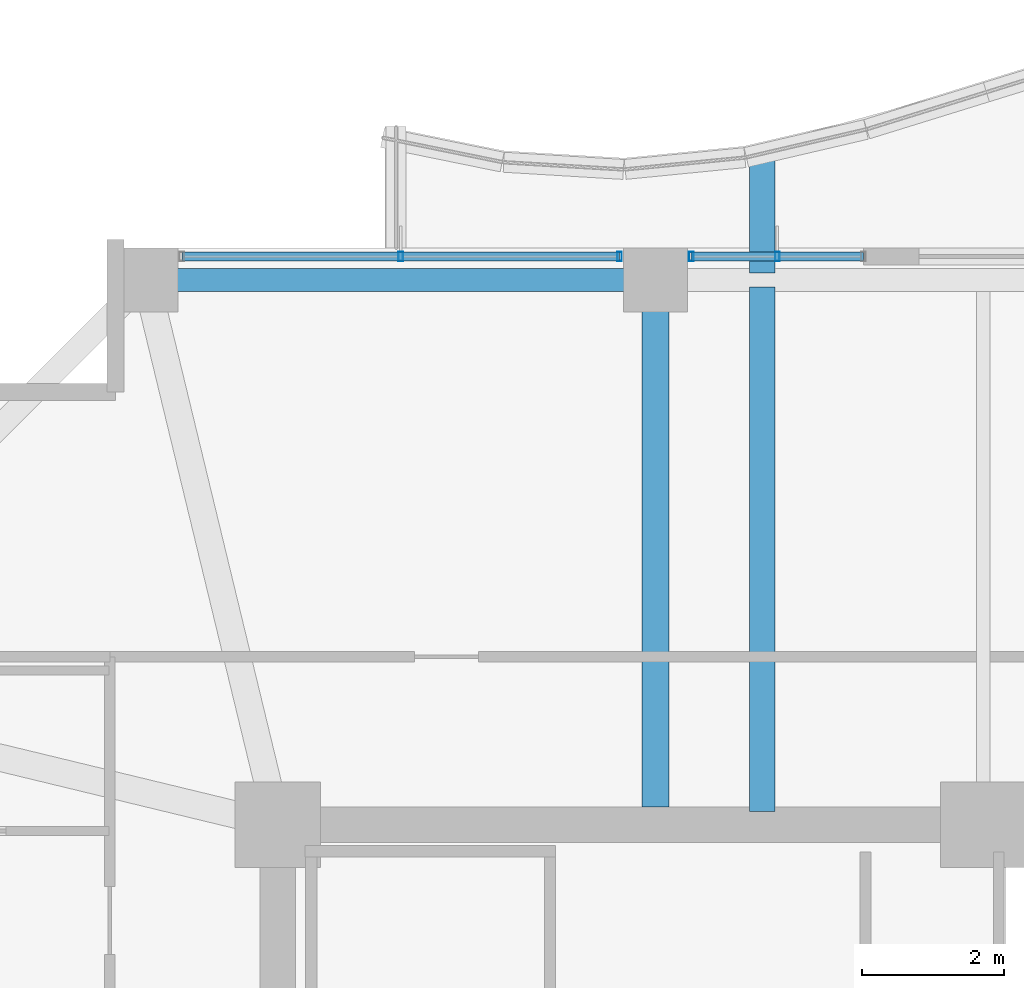
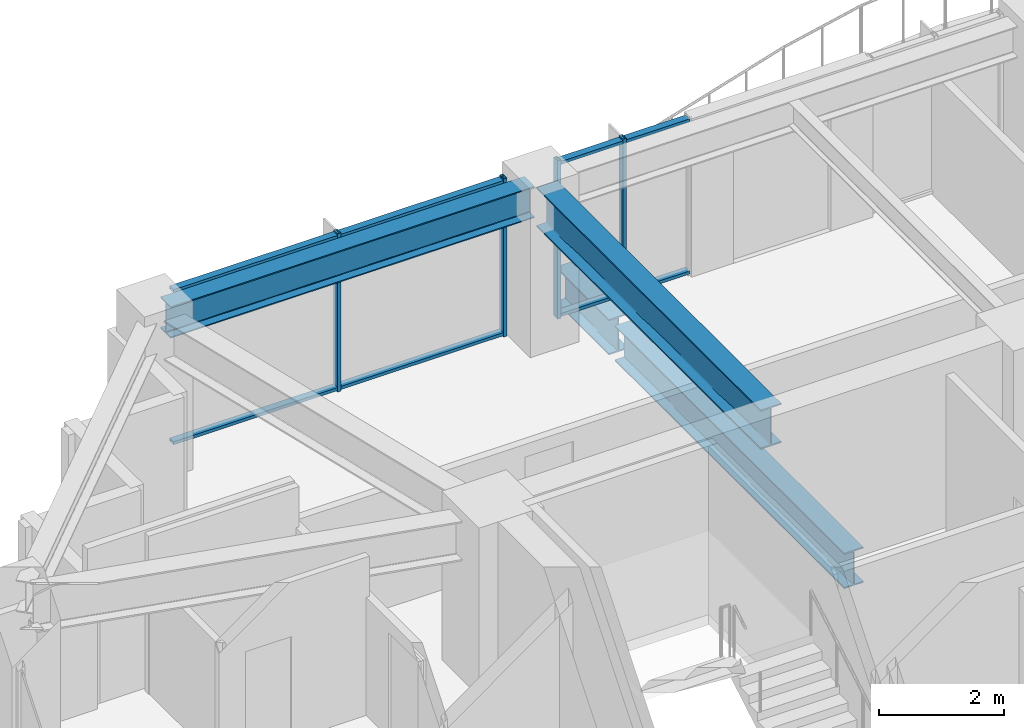
# One storey, part 17 of 31: 8 members, 4 beams, 2 elements without a shape of their own.
"""IFC4 building model written with IfcOpenShell, lengths in metres."""

from ifc_helpers import new_model, si_unit, direction, frame, origin, origin_2d, place, context, subcontext, project, spatial, hollow_rectangle, i_section, extrude, material, material_profile, profile_set, type_object, element, aggregate, save


model = new_model("IFC4")

# Units and contexts
model_context = context("Model", 3, precision=1e-05, world=origin(), true_north=direction((0.0, 1.0)))
body_context = subcontext(model_context, "Body", "Model", "MODEL_VIEW")
ifc_project = project(units=[si_unit("LENGTHUNIT", "METRE"), si_unit("AREAUNIT", "SQUARE_METRE"), si_unit("VOLUMEUNIT", "CUBIC_METRE"), si_unit("PLANEANGLEUNIT", "RADIAN"), si_unit("MASSUNIT", "GRAM", prefix="KILO")], contexts=[model_context])

# Site, building, storey
site_placement = place(None, origin())
site = spatial("IfcSite", under=ifc_project, at=site_placement, CompositionType="ELEMENT")
building_placement = place(site_placement, origin())
building = spatial("IfcBuilding", under=site, at=building_placement, Name="Kolvaren Belvedere", CompositionType="ELEMENT")
storey_placement = place(building_placement, frame((0.0, 0.0, 134.89990234375)))
storey = spatial("IfcBuildingStorey", under=building, at=storey_placement, Name="L39", CompositionType="ELEMENT", Elevation=134.89990234375)

# Beams
ifc_material_1 = material(Name="Structural steel ASTM A992 Grade 50", Category="steel")
ifc_material_profile_1 = material_profile(ifc_material_1, i_section(OverallWidth=0.35498046875, OverallDepth=0.696044921875, WebThickness=0.015380859375, FlangeThickness=0.02490234375, FilletRadius=0.02197265625, at=origin_2d()), Name="W27X146")
ifc_profile_set_1 = profile_set([ifc_material_profile_1], Name="Structural steel ASTM A992 Grade 50")
beam_type_1 = type_object("IfcBeamType", Name="BM-CANT-BAL", PredefinedType="BEAM", material=ifc_profile_set_1)
beam_1_placement = place(storey_placement, frame((-3.10009765625, 17.64501953125, -0.5478515625), z_axis=(0.0, 1.0, 0.0), x_axis=(-1.0, 0.0, 0.0)))
element("IfcBeam", 1, at=beam_1_placement, inside=storey, type_object=beam_type_1, Name="L39 Planted Balcony Cantilever BAL-N-1", PredefinedType="BEAM", context=body_context, shape_type="SweptSolid", body=[
    extrude(i_section(OverallWidth=0.35498046875, OverallDepth=0.696044921875, WebThickness=0.015380859375, FlangeThickness=0.02490234375, FilletRadius=0.02197265625, at=origin_2d()), origin(), (0.0, 0.0, 1.0), 1.70361328125),
])
ifc_material_2 = material(Name="Structural steel ASTM A992 Grade 50", Category="steel")
ifc_material_profile_2 = material_profile(ifc_material_2, i_section(OverallWidth=0.35498046875, OverallDepth=0.696044921875, WebThickness=0.015380859375, FlangeThickness=0.02490234375, FilletRadius=0.02197265625, at=origin_2d()), Name="W27X146")
ifc_profile_set_2 = profile_set([ifc_material_profile_2], Name="Structural steel ASTM A992 Grade 50")
beam_type_2 = type_object("IfcBeamType", Name="BM-GIRD-W27X146", PredefinedType="BEAM", material=ifc_profile_set_2)
beam_2_placement = place(storey_placement, frame((-3.10009765625, 10.090087890625, -0.5478515625), z_axis=(0.0, 1.0, 0.0), x_axis=(-1.0, 0.0, 0.0)))
element("IfcBeam", 2, at=beam_2_placement, inside=storey, type_object=beam_type_2, Name="L39 Balcony Interior Back-Span Girder BAL-N-1", PredefinedType="BEAM", context=body_context, shape_type="SweptSolid", body=[
    extrude(i_section(OverallWidth=0.35498046875, OverallDepth=0.696044921875, WebThickness=0.015380859375, FlangeThickness=0.02490234375, FilletRadius=0.02197265625, at=origin_2d()), origin(), (0.0, 0.0, 1.0), 7.364990234375),
])
ifc_material_3 = material(Name="Structural steel ASTM A992 Grade 50", Category="steel")
ifc_material_profile_3 = material_profile(ifc_material_3, i_section(OverallWidth=0.381103515625, OverallDepth=0.77294921875, WebThickness=0.0166015625, FlangeThickness=0.027099609375, FilletRadius=0.02392578125, at=origin_2d()), Name="W30X173")
ifc_profile_set_3 = profile_set([ifc_material_profile_3], Name="Structural steel ASTM A992 Grade 50")
beam_type_3 = type_object("IfcBeamType", Name="BM-GIRD-W30X173", PredefinedType="BEAM", material=ifc_profile_set_3)
beam_3_placement = place(storey_placement, frame((-4.60009765625, 10.14990234375, 2.713623046875), z_axis=(0.0, 1.0, 0.0), x_axis=(-1.0, 0.0, 0.0)))
element("IfcBeam", 3, at=beam_3_placement, inside=storey, type_object=beam_type_3, Name="L39 North Radial Girder M", PredefinedType="BEAM", context=body_context, shape_type="SweptSolid", body=[
    extrude(i_section(OverallWidth=0.381103515625, OverallDepth=0.77294921875, WebThickness=0.0166015625, FlangeThickness=0.027099609375, FilletRadius=0.02392578125, at=origin_2d()), origin(), (0.0, 0.0, 1.0), 7.197509765625),
])
ifc_material_4 = material(Name="Structural steel ASTM A992 Grade 50", Category="steel")
ifc_material_profile_4 = material_profile(ifc_material_4, i_section(OverallWidth=0.324951171875, OverallDepth=0.615966796875, WebThickness=0.013916015625, FlangeThickness=0.021484375, FilletRadius=0.02001953125, at=origin_2d()), Name="W24X117")
ifc_profile_set_4 = profile_set([ifc_material_profile_4], Name="Structural steel ASTM A992 Grade 50")
beam_type_4 = type_object("IfcBeamType", Name="BM-SPAN-W24X117", PredefinedType="SPANDREL", material=ifc_profile_set_4)
beam_4_placement = place(storey_placement, frame((-4.802490234375, 17.550048828125, 2.7919921875), z_axis=(-1.0, 0.0, 0.0), x_axis=(0.0, -1.0, 0.0)))
element("IfcBeam", 4, at=beam_4_placement, inside=storey, type_object=beam_type_4, Name="L39 Perimeter Spandrel N2-N1", PredefinedType="SPANDREL", context=body_context, shape_type="SweptSolid", body=[
    extrude(i_section(OverallWidth=0.324951171875, OverallDepth=0.615966796875, WebThickness=0.013916015625, FlangeThickness=0.021484375, FilletRadius=0.02001953125, at=origin_2d()), origin(), (0.0, 0.0, 1.0), 6.7451171875),
])

# Curtain wall, members
ifc_material_5 = material(Name="Anodised pale-metal aluminium AA 6063-T6", Category="aluminium")
curtain_wall_type = type_object("IfcCurtainWallType", Name="CW-Z3-WAIST", PredefinedType="NOTDEFINED", material=ifc_material_5)
curtain_wall_1_placement = place(storey_placement, origin())
curtain_wall_1 = element("IfcCurtainWall", 5, at=curtain_wall_1_placement, inside=storey, type_object=curtain_wall_type, Name="L39 Unitised Curtain Wall FCW-L39-N1-B1", PredefinedType="NOTDEFINED")
ifc_material_6 = material(Name="Anodised pale-metal aluminium AA 6063-T6", Category="aluminium")
ifc_material_profile_5 = material_profile(ifc_material_6, hollow_rectangle(XDim=0.06494140625, YDim=0.1298828125, WallThickness=0.00390625, at=origin_2d()), Name="ALU-MUL-130X65")
ifc_profile_set_5 = profile_set([ifc_material_profile_5], Name="Anodised pale-metal aluminium AA 6063-T6")
member_type_1 = type_object("IfcMemberType", Name="CW-MUL-130", PredefinedType="MULLION", material=ifc_profile_set_5)
member_1_placement = place(storey_placement, frame((-8.175048828125, 17.8798828125, 0.0), z_axis=(0.0, 0.0, 1.0), x_axis=(1.0, 0.0, 0.0)))
member_1 = element("IfcMember", 6, at=member_1_placement, type_object=member_type_1, Name="FCW-L39-N1-B1 Unitised Mullion 2", PredefinedType="MULLION", context=body_context, shape_type="SweptSolid", body=[
    extrude(hollow_rectangle(XDim=0.06494140625, YDim=0.1298828125, WallThickness=0.00390625, at=origin_2d()), origin(), (0.0, 0.0, 1.0), 3.10009765625),
])
member_2_placement = place(storey_placement, frame((-5.1025390625, 17.8798828125, 0.0), z_axis=(0.0, 0.0, 1.0), x_axis=(1.0, 0.0, 0.0)))
member_2 = element("IfcMember", 7, at=member_2_placement, type_object=member_type_1, Name="FCW-L39-N1-B1 Unitised Mullion 3", PredefinedType="MULLION", context=body_context, shape_type="SweptSolid", body=[
    extrude(hollow_rectangle(XDim=0.06494140625, YDim=0.1298828125, WallThickness=0.00390625, at=origin_2d()), origin(), (0.0, 0.0, 1.0), 3.10009765625),
])

curtain_wall_2_placement = place(storey_placement, origin())
curtain_wall_2 = element("IfcCurtainWall", 8, at=curtain_wall_2_placement, inside=storey, type_object=curtain_wall_type, Name="L39 Unitised Curtain Wall FCW-L39-N1-B2", PredefinedType="NOTDEFINED")
member_3_placement = place(storey_placement, frame((-4.097412109375, 17.8798828125, 0.0), z_axis=(0.0, 0.0, 1.0), x_axis=(1.0, 0.0, 0.0)))
member_3 = element("IfcMember", 9, at=member_3_placement, type_object=member_type_1, Name="FCW-L39-N1-B2 Unitised Mullion 1", PredefinedType="MULLION", context=body_context, shape_type="SweptSolid", body=[
    extrude(hollow_rectangle(XDim=0.06494140625, YDim=0.1298828125, WallThickness=0.00390625, at=origin_2d()), origin(), (0.0, 0.0, 1.0), 3.10009765625),
])
member_4_placement = place(storey_placement, frame((-2.888671875, 17.8798828125, 0.0), z_axis=(0.0, 0.0, 1.0), x_axis=(1.0, 0.0, 0.0)))
member_4 = element("IfcMember", 10, at=member_4_placement, type_object=member_type_1, Name="FCW-L39-N1-B2 Unitised Mullion 2", PredefinedType="MULLION", context=body_context, shape_type="SweptSolid", body=[
    extrude(hollow_rectangle(XDim=0.06494140625, YDim=0.1298828125, WallThickness=0.00390625, at=origin_2d()), origin(), (0.0, 0.0, 1.0), 3.10009765625),
])

# Member
ifc_material_7 = material(Name="Anodised pale-metal aluminium AA 6063-T6", Category="aluminium")
ifc_material_profile_6 = material_profile(ifc_material_7, hollow_rectangle(XDim=0.06005859375, YDim=0.1298828125, WallThickness=0.00390625, at=origin_2d()), Name="ALU-TRN-130X60")
ifc_profile_set_6 = profile_set([ifc_material_profile_6], Name="Anodised pale-metal aluminium AA 6063-T6")
member_type_2 = type_object("IfcMemberType", Name="CW-TRN-130", PredefinedType="USERDEFINED", material=ifc_profile_set_6)
member_5_placement = place(storey_placement, frame((-11.24755859375, 17.8798828125, 0.06005859375), z_axis=(1.0, 0.0, 0.0), x_axis=(0.0, 0.0, 1.0)))
member_5 = element("IfcMember", 11, at=member_5_placement, type_object=member_type_2, Name="FCW-L39-N1-B1 Sill Transom", ObjectType="TRANSOM", PredefinedType="USERDEFINED", context=body_context, shape_type="SweptSolid", body=[
    extrude(hollow_rectangle(XDim=0.06005859375, YDim=0.1298828125, WallThickness=0.00390625, at=origin_2d()), origin(), (0.0, 0.0, 1.0), 6.14501953125),
])

member_6_placement = place(storey_placement, frame((-11.24755859375, 17.8798828125, 3.0400390625), z_axis=(1.0, 0.0, 0.0), x_axis=(0.0, 0.0, 1.0)))
member_6 = element("IfcMember", 12, at=member_6_placement, type_object=member_type_2, Name="FCW-L39-N1-B1 Head Transom", ObjectType="TRANSOM", PredefinedType="USERDEFINED", context=body_context, shape_type="SweptSolid", body=[
    extrude(hollow_rectangle(XDim=0.06005859375, YDim=0.1298828125, WallThickness=0.00390625, at=origin_2d()), origin(), (0.0, 0.0, 1.0), 6.14501953125),
])

aggregate(curtain_wall_1, [member_1, member_2, member_5, member_6])

member_7_placement = place(storey_placement, frame((-4.097412109375, 17.8798828125, 0.06005859375), z_axis=(1.0, 0.0, 0.0), x_axis=(0.0, 0.0, 1.0)))
member_7 = element("IfcMember", 13, at=member_7_placement, type_object=member_type_2, Name="FCW-L39-N1-B2 Sill Transom", ObjectType="TRANSOM", PredefinedType="USERDEFINED", context=body_context, shape_type="SweptSolid", body=[
    extrude(hollow_rectangle(XDim=0.06005859375, YDim=0.1298828125, WallThickness=0.00390625, at=origin_2d()), origin(), (0.0, 0.0, 1.0), 2.41748046875),
])

member_8_placement = place(storey_placement, frame((-4.097412109375, 17.8798828125, 3.0400390625), z_axis=(1.0, 0.0, 0.0), x_axis=(0.0, 0.0, 1.0)))
member_8 = element("IfcMember", 14, at=member_8_placement, type_object=member_type_2, Name="FCW-L39-N1-B2 Head Transom", ObjectType="TRANSOM", PredefinedType="USERDEFINED", context=body_context, shape_type="SweptSolid", body=[
    extrude(hollow_rectangle(XDim=0.06005859375, YDim=0.1298828125, WallThickness=0.00390625, at=origin_2d()), origin(), (0.0, 0.0, 1.0), 2.41748046875),
])

aggregate(curtain_wall_2, [member_3, member_4, member_7, member_8])

save(model, "model.ifc")
